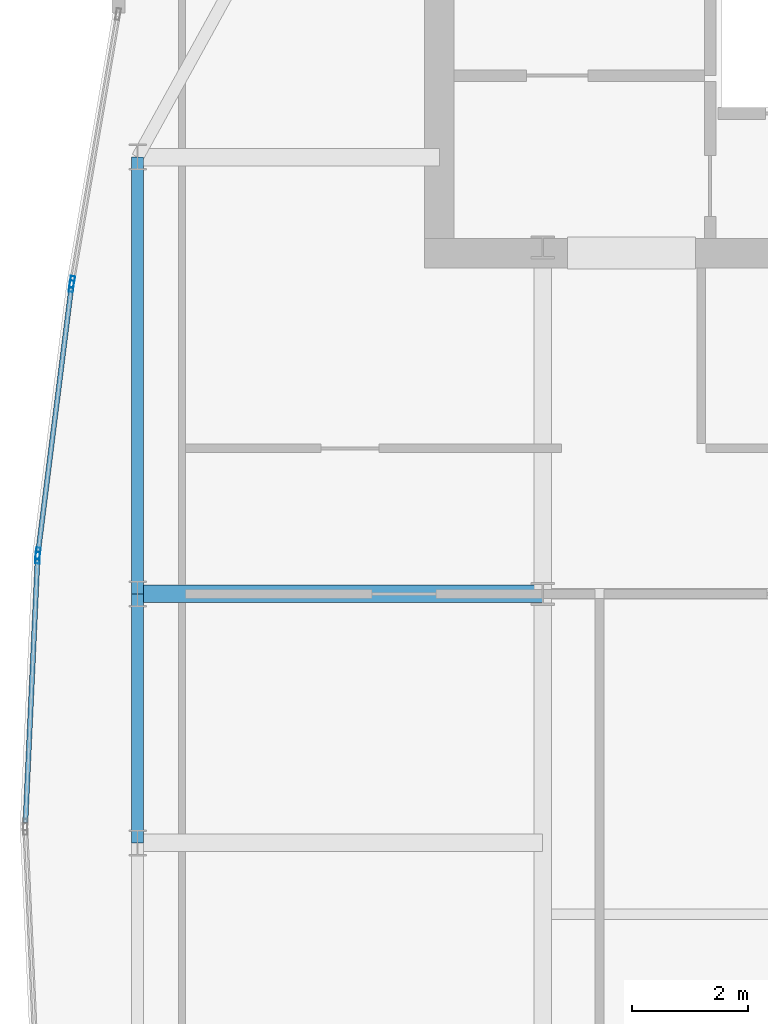
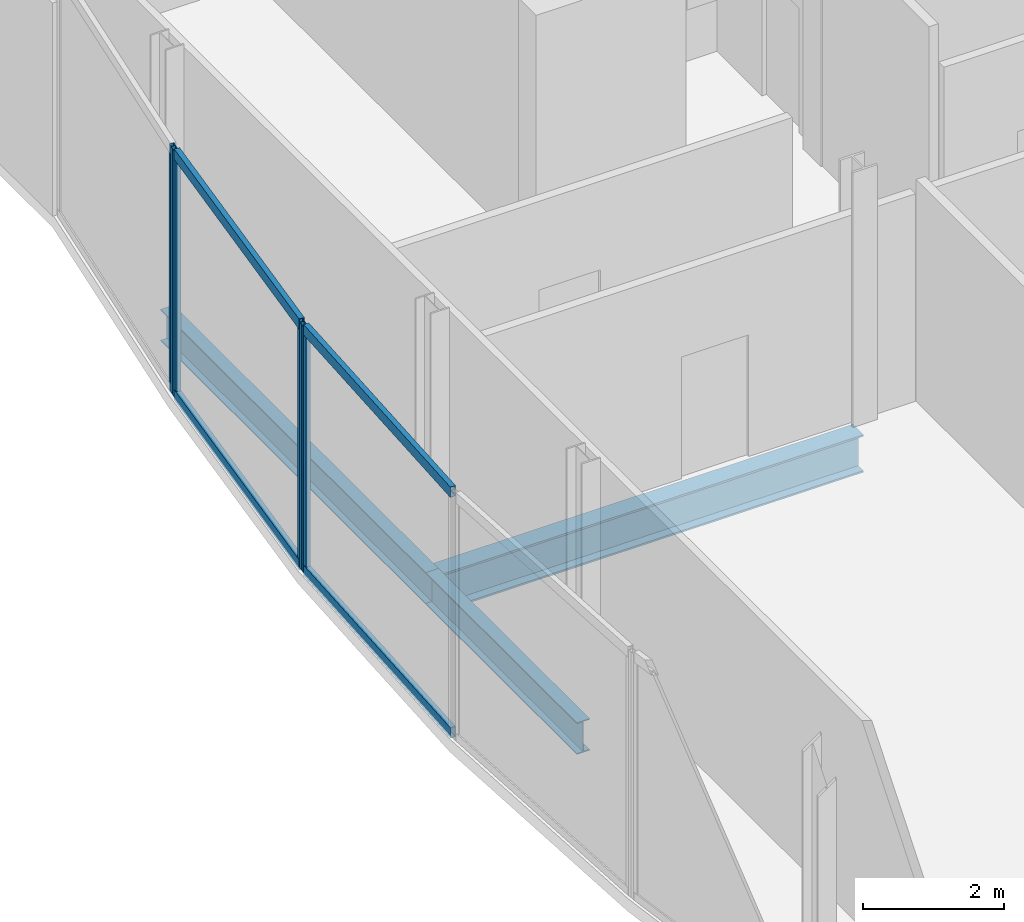
# One storey, part 10 of 27: 8 members, 3 beams, 3 elements without a shape of their own.
"""IFC4 building model written with IfcOpenShell, lengths in metres."""

from ifc_helpers import new_model, si_unit, direction, frame, origin, origin_2d, place, context, subcontext, project, spatial, hollow_rectangle, i_section, extrude, material, material_profile, profile_set, type_object, element, aggregate, save


model = new_model("IFC4")

# Units and contexts
model_context = context("Model", 3, precision=1e-05, world=origin(), true_north=direction((0.0, 1.0)))
body_context = subcontext(model_context, "Body", "Model", "MODEL_VIEW")
ifc_project = project(units=[si_unit("LENGTHUNIT", "METRE"), si_unit("AREAUNIT", "SQUARE_METRE"), si_unit("VOLUMEUNIT", "CUBIC_METRE"), si_unit("PLANEANGLEUNIT", "RADIAN"), si_unit("MASSUNIT", "GRAM", prefix="KILO")], contexts=[model_context])

# Site, building, storey
site_placement = place(None, origin())
site = spatial("IfcSite", under=ifc_project, at=site_placement, CompositionType="ELEMENT")
building_placement = place(site_placement, origin())
building = spatial("IfcBuilding", under=site, at=building_placement, Name="Khoronbel Lancet Exchange", CompositionType="ELEMENT")
storey_placement = place(building_placement, frame((0.0, 0.0, 305.800048828125)))
storey = spatial("IfcBuildingStorey", under=building, at=storey_placement, Name="L79", CompositionType="ELEMENT", Elevation=305.800048828125)

# Beams
ifc_material_1 = material(Name="Steel S355", Category="steel")
ifc_material_profile_1 = material_profile(ifc_material_1, i_section(OverallWidth=0.300048828125, OverallDepth=0.64990234375, WebThickness=0.01611328125, FlangeThickness=0.031005859375, at=origin_2d()), Name="HEB 650")
ifc_profile_set_1 = profile_set([ifc_material_profile_1], Name="Steel S355")
beam_type_1 = type_object("IfcBeamType", Name="BM-BG4", PredefinedType="BEAM", material=ifc_profile_set_1)
beam_1_placement = place(storey_placement, frame((11.27001953125, 35.699951171875, -0.545166015625), z_axis=(1.0, 0.0, 0.0), x_axis=(0.0, 1.0, 0.0)))
element("IfcBeam", 1, at=beam_1_placement, inside=storey, type_object=beam_type_1, Name="Level L79 west lens tie girder LG4W", PredefinedType="BEAM", context=body_context, shape_type="SweptSolid", body=[
    extrude(i_section(OverallWidth=0.300048828125, OverallDepth=0.64990234375, WebThickness=0.01611328125, FlangeThickness=0.031005859375, at=origin_2d()), origin(), (0.0, 0.0, 1.0), 6.955078125),
])
ifc_material_profile_2 = material_profile(ifc_material_1, i_section(OverallWidth=0.2099609375, OverallDepth=0.550048828125, WebThickness=0.010986328125, FlangeThickness=0.01708984375, at=origin_2d()), Name="IPE 550")
ifc_profile_set_2 = profile_set([ifc_material_profile_2], Name="Steel S355")
beam_type_2 = type_object("IfcBeamType", Name="BM-BSP3", PredefinedType="SPANDREL", material=ifc_profile_set_2)
beam_2_placement = place(storey_placement, frame((11.27001953125, 43.199951171875, -0.4951171875), z_axis=(0.0, -1.0, 0.0), x_axis=(1.0, 0.0, 0.0)))
element("IfcBeam", 2, at=beam_2_placement, inside=storey, type_object=beam_type_2, Name="Level L79 perimeter spandrel beam SP15", PredefinedType="SPANDREL", context=body_context, shape_type="SweptSolid", body=[
    extrude(i_section(OverallWidth=0.2099609375, OverallDepth=0.550048828125, WebThickness=0.010986328125, FlangeThickness=0.01708984375, at=origin_2d()), origin(), (0.0, 0.0, 1.0), 7.5),
])
beam_3_placement = place(storey_placement, frame((11.27001953125, 35.699951171875, -0.4951171875), z_axis=(0.0, -1.0, 0.0), x_axis=(1.0, 0.0, 0.0)))
element("IfcBeam", 3, at=beam_3_placement, inside=storey, type_object=beam_type_2, Name="Level L79 perimeter spandrel beam SP16", PredefinedType="SPANDREL", context=body_context, shape_type="SweptSolid", body=[
    extrude(i_section(OverallWidth=0.2099609375, OverallDepth=0.550048828125, WebThickness=0.010986328125, FlangeThickness=0.01708984375, at=origin_2d()), origin(), (0.0, 0.0, 1.0), 4.27490234375),
])

# Curtain wall, member
ifc_material_2 = material(Name="Low-E Solar Control Insulating Glass", Category="glass")
curtain_wall_type = type_object("IfcCurtainWallType", Name="CW-4", PredefinedType="NOTDEFINED", material=ifc_material_2)
curtain_wall_1_placement = place(storey_placement, origin())
curtain_wall_1 = element("IfcCurtainWall", 4, at=curtain_wall_1_placement, inside=storey, type_object=curtain_wall_type, Name="Unitised curtain wall CW-L79-E07", PredefinedType="NOTDEFINED")
ifc_material_3 = material(Name="Bronze-Anodised Aluminium 6063-T6", Category="aluminium")
ifc_material_profile_3 = material_profile(ifc_material_3, hollow_rectangle(XDim=0.074951171875, YDim=0.199951171875, WallThickness=0.0048828125, at=origin_2d()), Name="ALU MULLION 75x200")
ifc_profile_set_3 = profile_set([ifc_material_profile_3], Name="Bronze-Anodised Aluminium 6063-T6")
member_type_1 = type_object("IfcMemberType", Name="MEM-CWM2", PredefinedType="MULLION", material=ifc_profile_set_3)
member_1_placement = place(storey_placement, frame((9.552490234375, 36.321533203125, 0.0), z_axis=(0.0, 0.0, 1.0), x_axis=(-0.998946764263, 0.045884225704, 0.0)))
member_1 = element("IfcMember", 5, at=member_1_placement, type_object=member_type_1, Name="CW4 mullion 2", PredefinedType="MULLION", context=body_context, shape_type="SweptSolid", body=[
    extrude(hollow_rectangle(XDim=0.074951171875, YDim=0.199951171875, WallThickness=0.0048828125, at=origin_2d()), origin(), (0.0, 0.0, 1.0), 4.239990234375),
])

# Curtain wall, members
curtain_wall_2_placement = place(storey_placement, origin())
curtain_wall_2 = element("IfcCurtainWall", 6, at=curtain_wall_2_placement, inside=storey, type_object=curtain_wall_type, Name="Unitised curtain wall CW-L79-E08", PredefinedType="NOTDEFINED")
member_2_placement = place(storey_placement, frame((9.558837890625, 36.396240234375, 0.0), z_axis=(0.0, 0.0, 1.0), x_axis=(-0.992218486687, 0.124508934127, 0.0)))
member_2 = element("IfcMember", 7, at=member_2_placement, type_object=member_type_1, Name="CW4 mullion 1", PredefinedType="MULLION", context=body_context, shape_type="SweptSolid", body=[
    extrude(hollow_rectangle(XDim=0.074951171875, YDim=0.199951171875, WallThickness=0.0048828125, at=origin_2d()), origin(), (0.0, 0.0, 1.0), 4.239990234375),
])
member_3_placement = place(storey_placement, frame((10.13427734375, 40.98291015625, 0.0), z_axis=(0.0, 0.0, 1.0), x_axis=(-0.992218486687, 0.124508934127, 0.0)))
member_3 = element("IfcMember", 8, at=member_3_placement, type_object=member_type_1, Name="CW4 mullion 2", PredefinedType="MULLION", context=body_context, shape_type="SweptSolid", body=[
    extrude(hollow_rectangle(XDim=0.074951171875, YDim=0.199951171875, WallThickness=0.0048828125, at=origin_2d()), origin(), (0.0, 0.0, 1.0), 4.239990234375),
])

# Curtain wall, member
curtain_wall_3_placement = place(storey_placement, origin())
curtain_wall_3 = element("IfcCurtainWall", 9, at=curtain_wall_3_placement, inside=storey, type_object=curtain_wall_type, Name="Unitised curtain wall CW-L79-E09", PredefinedType="NOTDEFINED")
member_4_placement = place(storey_placement, frame((10.145263671875, 41.05712890625, 0.0), z_axis=(0.0, 0.0, 1.0), x_axis=(-0.985620448013, 0.168974354443, 0.0)))
member_4 = element("IfcMember", 10, at=member_4_placement, type_object=member_type_1, Name="CW4 mullion 1", PredefinedType="MULLION", context=body_context, shape_type="SweptSolid", body=[
    extrude(hollow_rectangle(XDim=0.074951171875, YDim=0.199951171875, WallThickness=0.0048828125, at=origin_2d()), origin(), (0.0, 0.0, 1.0), 4.239990234375),
])
aggregate(curtain_wall_3, [member_4])

# Member
ifc_material_profile_4 = material_profile(ifc_material_3, hollow_rectangle(XDim=0.0849609375, YDim=0.179931640625, WallThickness=0.0048828125, at=origin_2d()), Name="ALU TRANSOM 85x180")
ifc_profile_set_4 = profile_set([ifc_material_profile_4], Name="Bronze-Anodised Aluminium 6063-T6")
member_type_2 = type_object("IfcMemberType", Name="MEM-CWT1", PredefinedType="USERDEFINED", material=ifc_profile_set_4)
member_5_placement = place(storey_placement, frame((9.343505859375, 31.77490234375, 0.04248046875), z_axis=(0.045863976429, 0.998947694159, 0.0), x_axis=(-0.998947694159, 0.045863976429, 0.0)))
member_5 = element("IfcMember", 11, at=member_5_placement, type_object=member_type_2, Name="CW4 transom 1.1", ObjectType="TRANSOM", PredefinedType="USERDEFINED", context=body_context, shape_type="SweptSolid", body=[
    extrude(hollow_rectangle(XDim=0.0849609375, YDim=0.179931640625, WallThickness=0.0048828125, at=origin_2d()), origin(), (0.0, 0.0, 1.0), 4.513916015625),
])

member_6_placement = place(storey_placement, frame((9.343505859375, 31.77490234375, 4.197509765625), z_axis=(0.045863976429, 0.998947694159, 0.0), x_axis=(-0.998947694159, 0.045863976429, 0.0)))
member_6 = element("IfcMember", 12, at=member_6_placement, type_object=member_type_2, Name="CW4 transom 1.2", ObjectType="TRANSOM", PredefinedType="USERDEFINED", context=body_context, shape_type="SweptSolid", body=[
    extrude(hollow_rectangle(XDim=0.0849609375, YDim=0.179931640625, WallThickness=0.0048828125, at=origin_2d()), origin(), (0.0, 0.0, 1.0), 4.513916015625),
])

aggregate(curtain_wall_1, [member_1, member_5, member_6])

member_7_placement = place(storey_placement, frame((9.5634765625, 36.433349609375, 0.04248046875), z_axis=(0.124490613086, 0.992220785538, 0.0), x_axis=(-0.992220785538, 0.124490613086, 0.0)))
member_7 = element("IfcMember", 13, at=member_7_placement, type_object=member_type_2, Name="CW4 transom 1.1", ObjectType="TRANSOM", PredefinedType="USERDEFINED", context=body_context, shape_type="SweptSolid", body=[
    extrude(hollow_rectangle(XDim=0.0849609375, YDim=0.179931640625, WallThickness=0.0048828125, at=origin_2d()), origin(), (0.0, 0.0, 1.0), 4.5478515625),
])

member_8_placement = place(storey_placement, frame((9.5634765625, 36.433349609375, 4.197509765625), z_axis=(0.124490613086, 0.992220785538, 0.0), x_axis=(-0.992220785538, 0.124490613086, 0.0)))
member_8 = element("IfcMember", 14, at=member_8_placement, type_object=member_type_2, Name="CW4 transom 1.2", ObjectType="TRANSOM", PredefinedType="USERDEFINED", context=body_context, shape_type="SweptSolid", body=[
    extrude(hollow_rectangle(XDim=0.0849609375, YDim=0.179931640625, WallThickness=0.0048828125, at=origin_2d()), origin(), (0.0, 0.0, 1.0), 4.5478515625),
])

aggregate(curtain_wall_2, [member_2, member_3, member_7, member_8])

save(model, "model.ifc")
